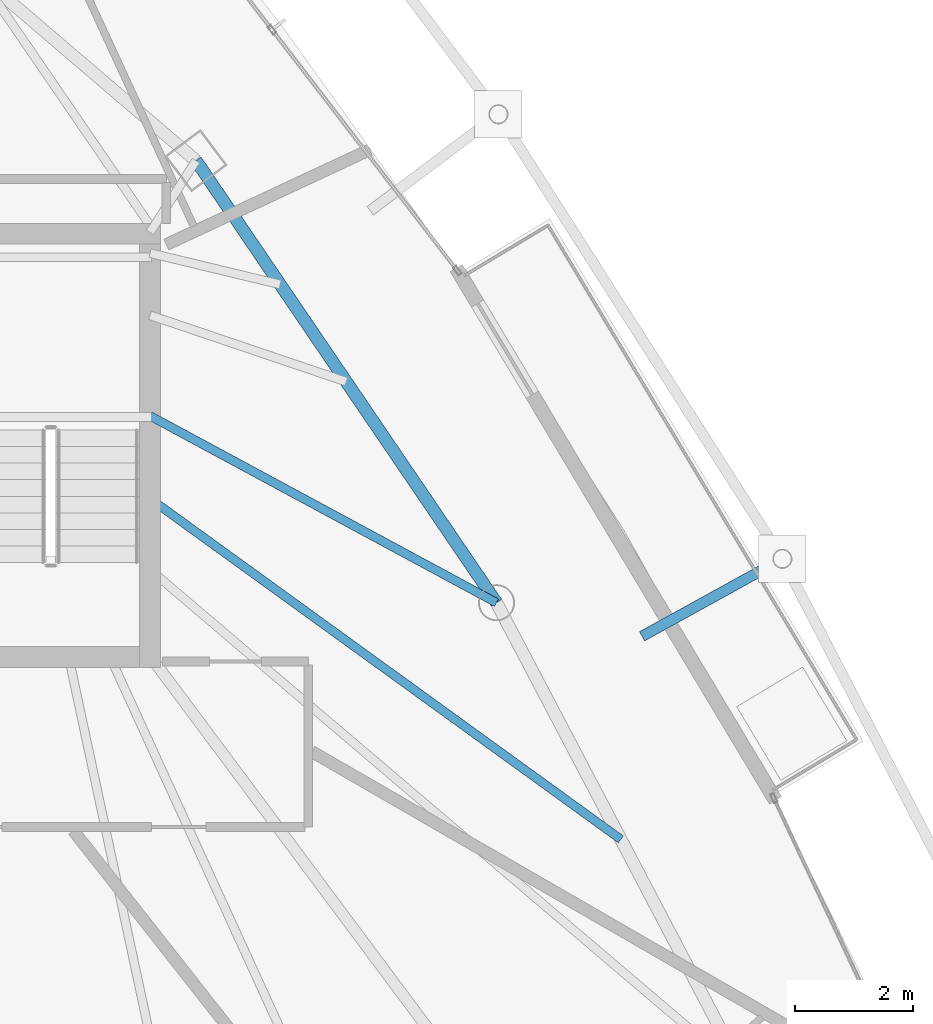
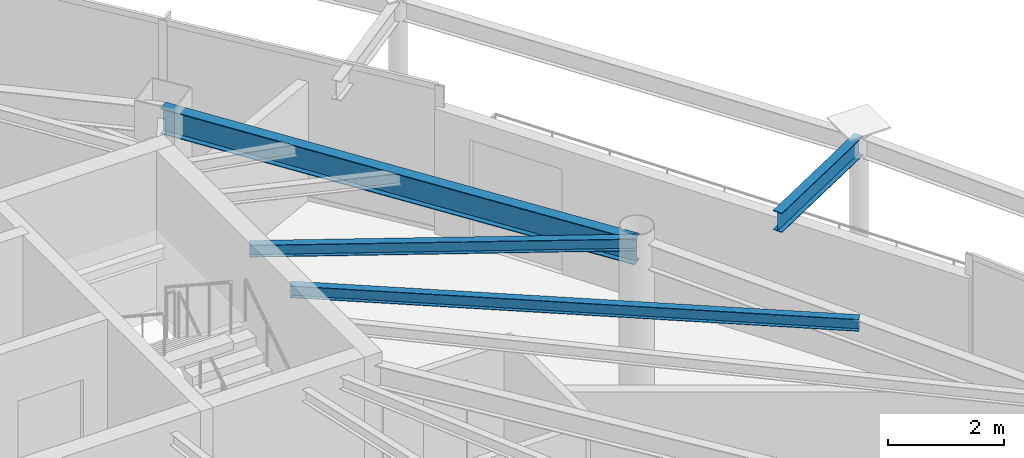
# One storey, part 21 of 34: 4 beams.
"""IFC4 building model written with IfcOpenShell, lengths in metres."""

from ifc_helpers import new_model, si_unit, direction, frame, origin, origin_2d, place, context, subcontext, project, spatial, i_section, extrude, material, material_profile, profile_set, type_object, element, save


model = new_model("IFC4")

# Units and contexts
model_context = context("Model", 3, precision=1e-05, world=origin(), true_north=direction((0.0, 1.0)))
body_context = subcontext(model_context, "Body", "Model", "MODEL_VIEW")
ifc_project = project(units=[si_unit("LENGTHUNIT", "METRE"), si_unit("AREAUNIT", "SQUARE_METRE"), si_unit("VOLUMEUNIT", "CUBIC_METRE"), si_unit("PLANEANGLEUNIT", "RADIAN"), si_unit("MASSUNIT", "GRAM", prefix="KILO")], contexts=[model_context])

# Site, building, storey
site_placement = place(None, origin())
site = spatial("IfcSite", under=ifc_project, at=site_placement, CompositionType="ELEMENT")
building_placement = place(site_placement, origin())
building = spatial("IfcBuilding", under=site, at=building_placement, Name="Orvanel Arch Residences", CompositionType="ELEMENT")
storey_placement = place(building_placement, frame((0.0, 0.0, 203.0)))
storey = spatial("IfcBuildingStorey", under=building, at=storey_placement, Name="L57", CompositionType="ELEMENT", Elevation=203.0)

# Beams
ifc_material = material(Name="Structural steel AS/NZS 3679.1 Grade 300 (300 MPa)", Category="steel")
ifc_material_profile_1 = material_profile(ifc_material, i_section(OverallWidth=0.14599609375, OverallDepth=0.251953125, WebThickness=0.006103515625, FlangeThickness=0.008544921875, at=origin_2d()), Name="250UB31.4")
ifc_profile_set_1 = profile_set([ifc_material_profile_1], Name="Structural steel AS/NZS 3679.1 Grade 300 (300 MPa)")
beam_type_1 = type_object("IfcBeamType", Name="BJ-250UB", PredefinedType="JOIST", material=ifc_profile_set_1)
beam_1_placement = place(storey_placement, frame((39.574951171875, 30.800048828125, 2.93408203125), z_axis=(0.880111494021, -0.474767056664, 0.0), x_axis=(0.474767056664, 0.880111494021, 0.0)))
element("IfcBeam", 1, at=beam_1_placement, inside=storey, type_object=beam_type_1, Name="L57 NE Wing Floor Joist", PredefinedType="JOIST", context=body_context, shape_type="SweptSolid", body=[
    extrude(i_section(OverallWidth=0.14599609375, OverallDepth=0.251953125, WebThickness=0.006103515625, FlangeThickness=0.008544921875, at=origin_2d()), origin(), (0.0, 0.0, 1.0), 6.653564453125),
])
beam_2_placement = place(storey_placement, frame((39.574951171875, 29.39990234375, 2.93408203125), z_axis=(0.810144032972, -0.586230881002, 0.0), x_axis=(0.586230881002, 0.810144032972, 0.0)))
element("IfcBeam", 2, at=beam_2_placement, inside=storey, type_object=beam_type_1, Name="L57 CTE Wing Floor Joist", PredefinedType="JOIST", context=body_context, shape_type="SweptSolid", body=[
    extrude(i_section(OverallWidth=0.14599609375, OverallDepth=0.251953125, WebThickness=0.006103515625, FlangeThickness=0.008544921875, at=origin_2d()), origin(), (0.0, 0.0, 1.0), 9.82177734375),
])
ifc_material_profile_2 = material_profile(ifc_material, i_section(OverallWidth=0.177978515625, OverallDepth=0.406005859375, WebThickness=0.0078125, FlangeThickness=0.0126953125, at=origin_2d()), Name="410UB59.7")
ifc_profile_set_2 = profile_set([ifc_material_profile_2], Name="Structural steel AS/NZS 3679.1 Grade 300 (300 MPa)")
beam_type_2 = type_object("IfcBeamType", Name="OB-410UB-EXT", PredefinedType="SPANDREL", material=ifc_profile_set_2)
beam_3_placement = place(storey_placement, frame((47.89111328125, 27.073974609375, 2.85693359375), z_axis=(0.875569793648, 0.483091643947, 0.0), x_axis=(-0.483091643947, 0.875569793648, 0.0)))
element("IfcBeam", 3, at=beam_3_placement, inside=storey, type_object=beam_type_2, Name="L57 Outer Frame Radial Tie Beam 10", PredefinedType="SPANDREL", context=body_context, shape_type="SweptSolid", body=[
    extrude(i_section(OverallWidth=0.177978515625, OverallDepth=0.406005859375, WebThickness=0.0078125, FlangeThickness=0.0126953125, at=origin_2d()), origin(), (0.0, 0.0, 1.0), 2.707763671875),
])
ifc_material_profile_3 = material_profile(ifc_material, i_section(OverallWidth=0.208984375, OverallDepth=0.532958984375, WebThickness=0.01025390625, FlangeThickness=0.015625, at=origin_2d()), Name="530UB92.4")
ifc_profile_set_3 = profile_set([ifc_material_profile_3], Name="Structural steel AS/NZS 3679.1 Grade 300 (300 MPa)")
beam_type_3 = type_object("IfcBeamType", Name="SP-530UB", PredefinedType="SPANDREL", material=ifc_profile_set_3)
beam_4_placement = place(storey_placement, frame((45.430908203125, 27.64111328125, 2.79296875), z_axis=(-0.562154793153, 0.827032035978, 0.0), x_axis=(-0.827032035978, -0.562154793153, 0.0)))
element("IfcBeam", 4, at=beam_4_placement, inside=storey, type_object=beam_type_3, Name="L57 Perimeter Spandrel Beam 08", PredefinedType="SPANDREL", context=body_context, shape_type="SweptSolid", body=[
    extrude(i_section(OverallWidth=0.208984375, OverallDepth=0.532958984375, WebThickness=0.01025390625, FlangeThickness=0.015625, at=origin_2d()), origin(), (0.0, 0.0, 1.0), 9.03466796875),
])

save(model, "model.ifc")
